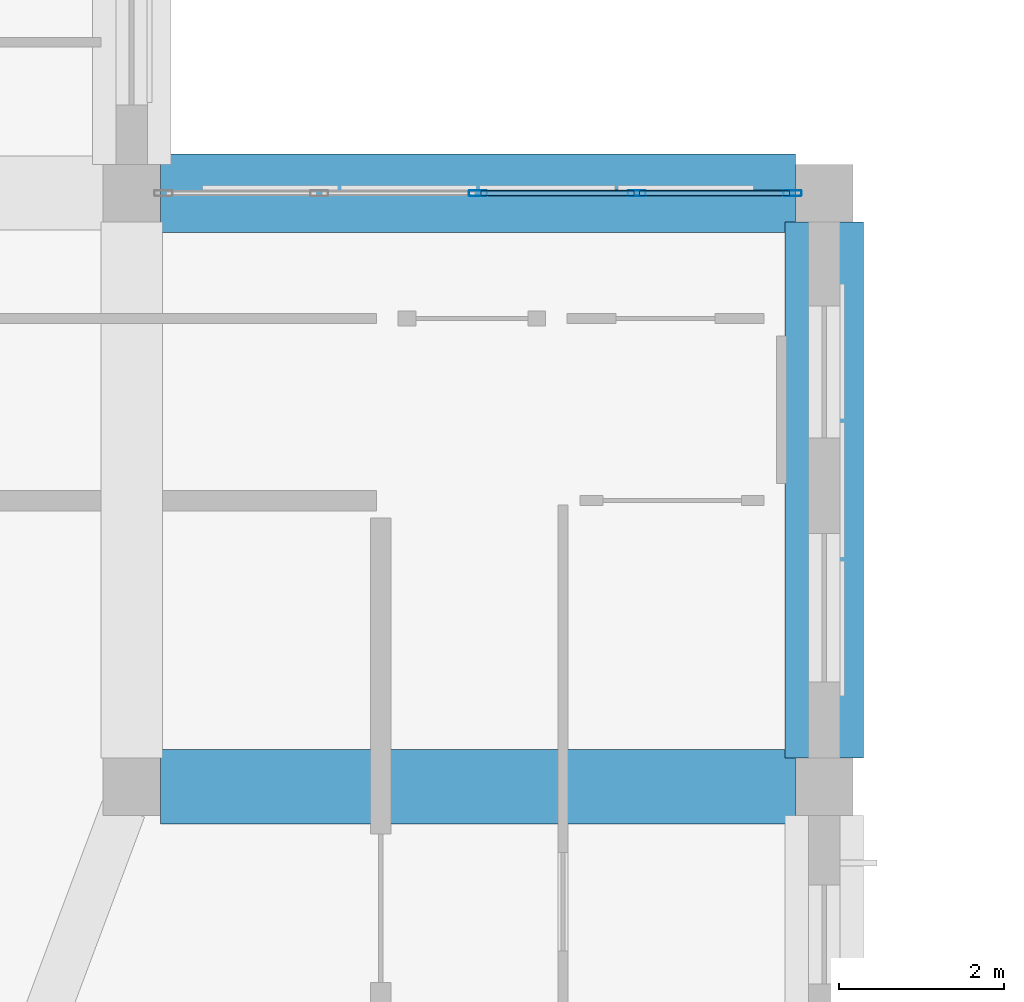
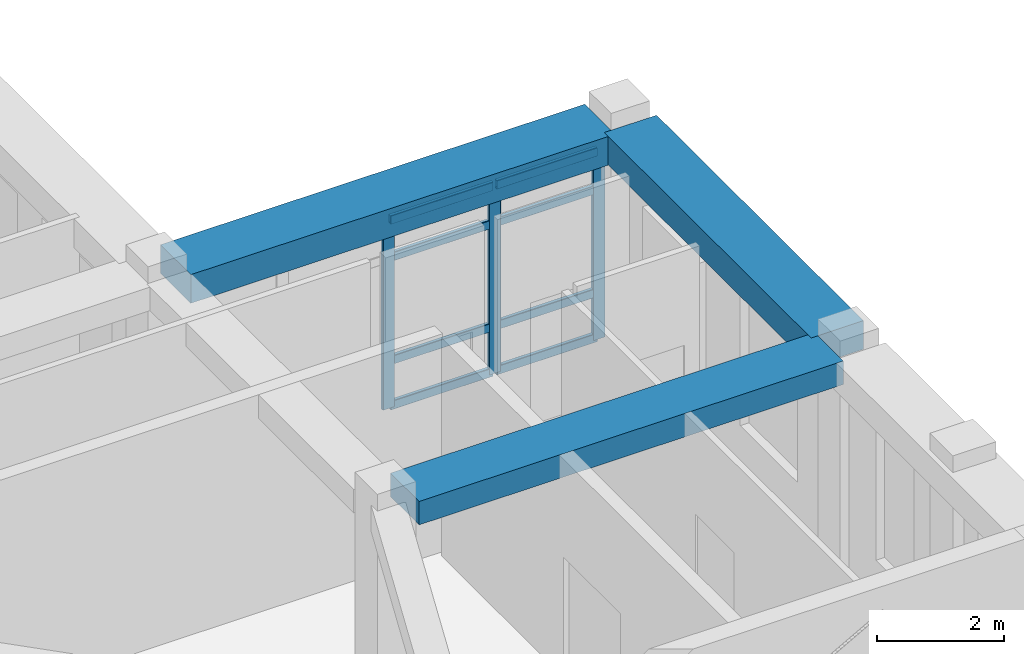
# One storey, part 28 of 79: 11 members, 3 beams, 1 element without a shape of its own.
"""IFC4 building model written with IfcOpenShell, lengths in metres."""

import ifcopenshell
import ifcopenshell.guid

model = None  # the IFC model being written
_history = None  # IfcOwnerHistory: only IFC2X3 demands one
_inside = {}  # id of a spatial element -> (the spatial element, [elements in it])
_under = {}  # id of a project, library or spatial element -> (it, [spatial elements below it])
_declared = {}  # id of a project -> (the project, [libraries it declares])
_typed = {}  # id of a type object -> (the type object, [elements of that type])
_made_of = {}  # id of a material, layer set ... -> (it, [elements and type objects made of it])


def new_model(schema):
    """Start an empty IFC model of exactly this schema.

    Asked for "IFC4X3", IfcOpenShell would pick the latest addendum, in which some entities
    have other attributes; the version numbers below select the first issue.
    IFC2X3 requires an IfcOwnerHistory on every rooted entity: one is made here for all.
    """
    global model, _history
    if schema == "IFC4X3":
        model = ifcopenshell.file(schema_version=(4, 3, 0, 0))
    else:
        model = ifcopenshell.file(schema=schema)
    _inside.clear()
    _under.clear()
    _declared.clear()
    _typed.clear()
    _made_of.clear()
    _history = None
    if model.schema == "IFC2X3":
        org = make("IfcOrganization", Name="unknown")
        user = make(
            "IfcPersonAndOrganization",
            ThePerson=make("IfcPerson", FamilyName="unknown"),
            TheOrganization=org,
        )
        app = make(
            "IfcApplication",
            ApplicationDeveloper=org,
            Version="unknown",
            ApplicationFullName="unknown",
            ApplicationIdentifier="unknown",
        )
        _history = make(
            "IfcOwnerHistory",
            OwningUser=user,
            OwningApplication=app,
            ChangeAction="ADDED",
            CreationDate=0,
        )
    return model


def make(cls, **values):
    """One entity of the class cls with the attributes given. An attribute that is None is left unset."""
    return model.create_entity(
        cls, **{name: value for name, value in values.items() if value is not None}
    )


def rooted(cls, **values):
    """An entity with a GlobalId (a new one), such as an element, a storey or a relation."""
    return make(cls, GlobalId=ifcopenshell.guid.new(), OwnerHistory=_history, **values)


def si_unit(unit_type, name, prefix=None):
    """IfcSIUnit, for example si_unit("LENGTHUNIT", "METRE", prefix="MILLI")."""
    return make("IfcSIUnit", UnitType=unit_type, Prefix=prefix, Name=name)


def derived_unit(unit_type, elements):
    """IfcDerivedUnit: a product of units, each with its exponent."""
    return make(
        "IfcDerivedUnit",
        Elements=[
            make("IfcDerivedUnitElement", Unit=unit, Exponent=power)
            for unit, power in elements
        ],
        UnitType=unit_type,
    )


def assignment(units):
    """IfcUnitAssignment: the units of a project."""
    return None if units is None else make("IfcUnitAssignment", Units=units)


def point(xyz):
    """IfcCartesianPoint."""
    return None if xyz is None else make("IfcCartesianPoint", Coordinates=xyz)


def direction(xyz):
    """IfcDirection."""
    return None if xyz is None else make("IfcDirection", DirectionRatios=xyz)


def frame(location, z_axis=None, x_axis=None):
    """IfcAxis2Placement3D, a coordinate frame: its origin and axes. An axis left out is left unset."""
    return make(
        "IfcAxis2Placement3D",
        Location=point(location),
        Axis=direction(z_axis),
        RefDirection=direction(x_axis),
    )


def frame_2d(location, x_axis=None):
    """IfcAxis2Placement2D, a coordinate frame in the plane: its origin and x axis."""
    return make(
        "IfcAxis2Placement2D", Location=point(location), RefDirection=direction(x_axis)
    )


def origin():
    """The frame at (0, 0, 0) with its axes left unset."""
    return frame((0.0, 0.0, 0.0))


def origin_2d():
    """The frame at (0, 0) in the plane with its x axis left unset."""
    return frame_2d((0.0, 0.0))


def place(relative_to, where):
    """IfcLocalPlacement: puts the frame where relative to a parent placement (None: the world)."""
    return make(
        "IfcLocalPlacement", PlacementRelTo=relative_to, RelativePlacement=where
    )


def context(
    kind, dimensions, precision=None, world=None, true_north=None, identifier=None
):
    """IfcGeometricRepresentationContext, for example the 3D "Model" context."""
    return make(
        "IfcGeometricRepresentationContext",
        ContextIdentifier=identifier,
        ContextType=kind,
        CoordinateSpaceDimension=dimensions,
        Precision=precision,
        WorldCoordinateSystem=world,
        TrueNorth=true_north,
    )


def subcontext(parent, identifier, kind, view, scale=None):
    """IfcGeometricRepresentationSubContext, for example "Body" below "Model"."""
    return make(
        "IfcGeometricRepresentationSubContext",
        ContextIdentifier=identifier,
        ContextType=kind,
        ParentContext=parent,
        TargetScale=scale,
        TargetView=view,
    )


def project(units=None, contexts=None):
    """IfcProject with its units and contexts."""
    return rooted(
        "IfcProject",
        Name="project",
        RepresentationContexts=contexts,
        UnitsInContext=assignment(units),
    )


def spatial(cls, under=None, at=None, **own):
    """A site, building, storey or space (cls), placed at a placement, below another one or the project."""
    s = rooted(cls, ObjectPlacement=at, **own)
    if under is not None:
        _under.setdefault(under.id(), (under, []))[1].append(s)
    return s


def profile(cls, at=None, kind="AREA", **sizes):
    """A parametric profile (cls). Its sizes go by their IFC names, for example OverallWidth=200.0."""
    return make(cls, ProfileType=kind, Position=at, **sizes)


def rectangle(**sizes):
    """IfcRectangleProfileDef."""
    return profile("IfcRectangleProfileDef", **sizes)


def hollow_rectangle(**sizes):
    """IfcRectangleHollowProfileDef."""
    return profile("IfcRectangleHollowProfileDef", **sizes)


def extrude(swept, where, along, depth):
    """IfcExtrudedAreaSolid: the profile swept, set in the frame where, extruded along a direction by depth."""
    return make(
        "IfcExtrudedAreaSolid",
        SweptArea=swept,
        Position=where,
        ExtrudedDirection=direction(along),
        Depth=depth,
    )


def shape(context_of_items, identifier, shape_type, items):
    """IfcShapeRepresentation: the items that make up one representation, for example the "Body"."""
    return make(
        "IfcShapeRepresentation",
        ContextOfItems=context_of_items,
        RepresentationIdentifier=identifier,
        RepresentationType=shape_type,
        Items=items,
    )


def material(Name=None, Category=None):
    """IfcMaterial."""
    return make("IfcMaterial", Name=Name, Category=Category)


def material_profile(
    of_material, cross_section, Name=None, Category=None, Priority=None
):
    """IfcMaterialProfile: a cross section and its material."""
    return make(
        "IfcMaterialProfile",
        Name=Name,
        Material=of_material,
        Profile=cross_section,
        Priority=Priority,
        Category=Category,
    )


def profile_set(profiles, Name=None, composite=None):
    """IfcMaterialProfileSet."""
    return make(
        "IfcMaterialProfileSet",
        Name=Name,
        MaterialProfiles=profiles,
        CompositeProfile=composite,
    )


def made_of(thing, what):
    """Note that an element or type object is made of a material, layer set ...; save() writes the relation."""
    if what is not None:
        _made_of.setdefault(what.id(), (what, []))[1].append(thing)
    return thing


def type_object(cls, material=None, **own):
    """A type object (cls), such as IfcWallType, which elements share."""
    return made_of(rooted(cls, **own), material)


def element(
    cls,
    number,
    at=None,
    inside=None,
    cuts=None,
    type_object=None,
    material=None,
    context=None,
    identifier="Body",
    shape_type=None,
    held_by="IfcProductDefinitionShape",
    body=None,
    shapes=None,
    **own,
):
    """One element of the class cls, such as IfcWall. Its Tag is "e" and its number.

    at: its placement. inside: the storey or other place that contains it. cuts: it is an
    opening in that element (IfcRelVoidsElement). A single representation is given by context,
    identifier, shape_type and body (its items); several are given by shapes. held_by: the class
    of the entity that holds the representations. save() writes the other relations.
    """
    e = rooted(cls, Tag="e%d" % number, ObjectPlacement=at, **own)
    if body is not None:
        shapes = [shape(context, identifier, shape_type, body)]
    if shapes is not None:
        e.Representation = make(held_by, Representations=shapes)
    if inside is not None:
        _inside.setdefault(inside.id(), (inside, []))[1].append(e)
    if cuts is not None:
        rooted(
            "IfcRelVoidsElement", RelatingBuildingElement=cuts, RelatedOpeningElement=e
        )
    if type_object is not None:
        _typed.setdefault(type_object.id(), (type_object, []))[1].append(e)
    return made_of(e, material)


def aggregate(whole, parts):
    """IfcRelAggregates: a whole, such as a stair, and the parts it consists of."""
    return rooted("IfcRelAggregates", RelatingObject=whole, RelatedObjects=parts)


def save(model, path):
    """Write the relations noted so far, then the file.

    IfcRelAggregates (storeys below a building ...), IfcRelContainedInSpatialStructure (elements
    in a storey), IfcRelDefinesByType, IfcRelAssociatesMaterial and IfcRelDeclares: one each for
    every whole, place, type object, material and project.
    """
    for whole, parts in _under.values():
        aggregate(whole, parts)
    for where, things in _inside.values():
        rooted(
            "IfcRelContainedInSpatialStructure",
            RelatedElements=things,
            RelatingStructure=where,
        )
    for kind, things in _typed.values():
        rooted("IfcRelDefinesByType", RelatedObjects=things, RelatingType=kind)
    for what, things in _made_of.values():
        rooted("IfcRelAssociatesMaterial", RelatedObjects=things, RelatingMaterial=what)
    for by, libraries in _declared.values():
        rooted("IfcRelDeclares", RelatingContext=by, RelatedDefinitions=libraries)
    model.write(path)


model = new_model("IFC4")

# Units and contexts
model_context = context("Model", 3, precision=1e-05, world=origin(), true_north=direction((0.0, 1.0)))
body_context = subcontext(model_context, "Body", "Model", "MODEL_VIEW")
ifc_project = project(units=[si_unit("LENGTHUNIT", "METRE"), si_unit("AREAUNIT", "SQUARE_METRE"), si_unit("VOLUMEUNIT", "CUBIC_METRE"), si_unit("PLANEANGLEUNIT", "RADIAN"), si_unit("MASSUNIT", "GRAM", prefix="KILO"), derived_unit("THERMALTRANSMITTANCEUNIT", [(si_unit("POWERUNIT", "WATT"), 1), (si_unit("LENGTHUNIT", "METRE"), -2), (si_unit("THERMODYNAMICTEMPERATUREUNIT", "KELVIN"), -1)])], contexts=[model_context])

# Site, building, storey
site_placement = place(None, origin())
site = spatial("IfcSite", under=ifc_project, at=site_placement, CompositionType="ELEMENT")
building_placement = place(site_placement, origin())
building = spatial("IfcBuilding", under=site, at=building_placement, Name="Veybourne Emporium", CompositionType="ELEMENT")
storey_placement = place(building_placement, frame((0.0, 0.0, 18.89990234375)))
storey = spatial("IfcBuildingStorey", under=building, at=storey_placement, Name="L04", CompositionType="ELEMENT", Elevation=18.89990234375)

# Curtain wall, members
ifc_material_1 = material(Name="Patinated Architectural Bronze", Category="bronze")
curtain_wall_type = type_object("IfcCurtainWallType", Name="CWSystem_CWS-08", PredefinedType="NOTDEFINED", material=ifc_material_1)
curtain_wall_placement = place(storey_placement, origin())
curtain_wall = element("IfcCurtainWall", 1, at=curtain_wall_placement, inside=storey, type_object=curtain_wall_type, Name="L04 bronze glazed curtain wall CWS-08 (054)", PredefinedType="NOTDEFINED")
ifc_material_profile_1 = material_profile(ifc_material_1, hollow_rectangle(XDim=0.070068359375, YDim=0.219970703125, WallThickness=0.0048828125, InnerFilletRadius=0.007568359375, OuterFilletRadius=0.012451171875, at=origin_2d()), Name="CWM 70x220x5")
ifc_profile_set_1 = profile_set([ifc_material_profile_1], Name="Patinated Architectural Bronze")
member_type_1 = type_object("IfcMemberType", Name="CWMullion_CW-M4", PredefinedType="MULLION", material=ifc_profile_set_1)
member_1_placement = place(storey_placement, frame((96.60009765625, 72.0, 0.0), z_axis=(0.0, 0.0, 1.0), x_axis=(0.0, 1.0, 0.0)))
member_1 = element("IfcMember", 2, at=member_1_placement, type_object=member_type_1, Name="CWS-08 mullion 3", PredefinedType="MULLION", context=body_context, shape_type="SweptSolid", body=[
    extrude(hollow_rectangle(XDim=0.070068359375, YDim=0.219970703125, WallThickness=0.0048828125, InnerFilletRadius=0.007568359375, OuterFilletRadius=0.012451171875, at=origin_2d()), origin(), (0.0, 0.0, 1.0), 3.630126953125),
])
member_2_placement = place(storey_placement, frame((98.52490234375, 72.0, 0.0), z_axis=(0.0, 0.0, 1.0), x_axis=(0.0, 1.0, 0.0)))
member_2 = element("IfcMember", 3, at=member_2_placement, type_object=member_type_1, Name="CWS-08 mullion 4", PredefinedType="MULLION", context=body_context, shape_type="SweptSolid", body=[
    extrude(hollow_rectangle(XDim=0.070068359375, YDim=0.219970703125, WallThickness=0.0048828125, InnerFilletRadius=0.007568359375, OuterFilletRadius=0.012451171875, at=origin_2d()), origin(), (0.0, 0.0, 1.0), 3.630126953125),
])
member_3_placement = place(storey_placement, frame((100.4150390625, 72.0, 0.0), z_axis=(0.0, 0.0, 1.0), x_axis=(0.0, 1.0, 0.0)))
member_3 = element("IfcMember", 4, at=member_3_placement, type_object=member_type_1, Name="CWS-08 mullion 5", PredefinedType="MULLION", context=body_context, shape_type="SweptSolid", body=[
    extrude(hollow_rectangle(XDim=0.070068359375, YDim=0.219970703125, WallThickness=0.0048828125, InnerFilletRadius=0.007568359375, OuterFilletRadius=0.012451171875, at=origin_2d()), origin(), (0.0, 0.0, 1.0), 3.630126953125),
])
ifc_material_profile_2 = material_profile(ifc_material_1, hollow_rectangle(XDim=0.070068359375, YDim=0.169921875, WallThickness=0.0048828125, InnerFilletRadius=0.007568359375, OuterFilletRadius=0.012451171875, at=origin_2d()), Name="CWT 70x170x5")
ifc_profile_set_2 = profile_set([ifc_material_profile_2], Name="Patinated Architectural Bronze")
member_type_2 = type_object("IfcMemberType", Name="CWTransom_CW-T4", PredefinedType="NOTDEFINED", material=ifc_profile_set_2)
member_4_placement = place(storey_placement, frame((96.635009765625, 72.0, 0.03515625), z_axis=(1.0, 0.0, 0.0), x_axis=(0.0, 1.0, 0.0)))
member_4 = element("IfcMember", 5, at=member_4_placement, type_object=member_type_2, Name="CWS-08 transom 3.1", ObjectType="TRANSOM", PredefinedType="USERDEFINED", context=body_context, shape_type="SweptSolid", body=[
    extrude(hollow_rectangle(XDim=0.070068359375, YDim=0.169921875, WallThickness=0.0048828125, InnerFilletRadius=0.007568359375, OuterFilletRadius=0.012451171875, at=origin_2d()), origin(), (0.0, 0.0, 1.0), 1.85498046875),
])
member_5_placement = place(storey_placement, frame((96.635009765625, 72.0, 0.900146484375), z_axis=(1.0, 0.0, 0.0), x_axis=(0.0, 1.0, 0.0)))
member_5 = element("IfcMember", 6, at=member_5_placement, type_object=member_type_2, Name="CWS-08 transom 3.2", ObjectType="TRANSOM", PredefinedType="USERDEFINED", context=body_context, shape_type="SweptSolid", body=[
    extrude(hollow_rectangle(XDim=0.070068359375, YDim=0.169921875, WallThickness=0.0048828125, InnerFilletRadius=0.007568359375, OuterFilletRadius=0.012451171875, at=origin_2d()), origin(), (0.0, 0.0, 1.0), 1.85498046875),
])
member_6_placement = place(storey_placement, frame((96.635009765625, 72.0, 2.880126953125), z_axis=(1.0, 0.0, 0.0), x_axis=(0.0, 1.0, 0.0)))
member_6 = element("IfcMember", 7, at=member_6_placement, type_object=member_type_2, Name="CWS-08 transom 3.3", ObjectType="TRANSOM", PredefinedType="USERDEFINED", context=body_context, shape_type="SweptSolid", body=[
    extrude(hollow_rectangle(XDim=0.070068359375, YDim=0.169921875, WallThickness=0.0048828125, InnerFilletRadius=0.007568359375, OuterFilletRadius=0.012451171875, at=origin_2d()), origin(), (0.0, 0.0, 1.0), 1.85498046875),
])
member_7_placement = place(storey_placement, frame((96.635009765625, 72.0, 3.59521484375), z_axis=(1.0, 0.0, 0.0), x_axis=(0.0, 1.0, 0.0)))
member_7 = element("IfcMember", 8, at=member_7_placement, type_object=member_type_2, Name="CWS-08 transom 3.4", ObjectType="TRANSOM", PredefinedType="USERDEFINED", context=body_context, shape_type="SweptSolid", body=[
    extrude(hollow_rectangle(XDim=0.070068359375, YDim=0.169921875, WallThickness=0.0048828125, InnerFilletRadius=0.007568359375, OuterFilletRadius=0.012451171875, at=origin_2d()), origin(), (0.0, 0.0, 1.0), 1.85498046875),
])
member_8_placement = place(storey_placement, frame((98.56005859375, 72.0, 0.03515625), z_axis=(1.0, 0.0, 0.0), x_axis=(0.0, 1.0, 0.0)))
member_8 = element("IfcMember", 9, at=member_8_placement, type_object=member_type_2, Name="CWS-08 transom 4.1", ObjectType="TRANSOM", PredefinedType="USERDEFINED", context=body_context, shape_type="SweptSolid", body=[
    extrude(hollow_rectangle(XDim=0.070068359375, YDim=0.169921875, WallThickness=0.0048828125, InnerFilletRadius=0.007568359375, OuterFilletRadius=0.012451171875, at=origin_2d()), origin(), (0.0, 0.0, 1.0), 1.81982421875),
])
member_9_placement = place(storey_placement, frame((98.56005859375, 72.0, 0.900146484375), z_axis=(1.0, 0.0, 0.0), x_axis=(0.0, 1.0, 0.0)))
member_9 = element("IfcMember", 10, at=member_9_placement, type_object=member_type_2, Name="CWS-08 transom 4.2", ObjectType="TRANSOM", PredefinedType="USERDEFINED", context=body_context, shape_type="SweptSolid", body=[
    extrude(hollow_rectangle(XDim=0.070068359375, YDim=0.169921875, WallThickness=0.0048828125, InnerFilletRadius=0.007568359375, OuterFilletRadius=0.012451171875, at=origin_2d()), origin(), (0.0, 0.0, 1.0), 1.81982421875),
])
member_10_placement = place(storey_placement, frame((98.56005859375, 72.0, 2.880126953125), z_axis=(1.0, 0.0, 0.0), x_axis=(0.0, 1.0, 0.0)))
member_10 = element("IfcMember", 11, at=member_10_placement, type_object=member_type_2, Name="CWS-08 transom 4.3", ObjectType="TRANSOM", PredefinedType="USERDEFINED", context=body_context, shape_type="SweptSolid", body=[
    extrude(hollow_rectangle(XDim=0.070068359375, YDim=0.169921875, WallThickness=0.0048828125, InnerFilletRadius=0.007568359375, OuterFilletRadius=0.012451171875, at=origin_2d()), origin(), (0.0, 0.0, 1.0), 1.81982421875),
])
member_11_placement = place(storey_placement, frame((98.56005859375, 72.0, 3.59521484375), z_axis=(1.0, 0.0, 0.0), x_axis=(0.0, 1.0, 0.0)))
member_11 = element("IfcMember", 12, at=member_11_placement, type_object=member_type_2, Name="CWS-08 transom 4.4", ObjectType="TRANSOM", PredefinedType="USERDEFINED", context=body_context, shape_type="SweptSolid", body=[
    extrude(hollow_rectangle(XDim=0.070068359375, YDim=0.169921875, WallThickness=0.0048828125, InnerFilletRadius=0.007568359375, OuterFilletRadius=0.012451171875, at=origin_2d()), origin(), (0.0, 0.0, 1.0), 1.81982421875),
])
aggregate(curtain_wall, [member_1, member_2, member_3, member_4, member_5, member_6, member_7, member_8, member_9, member_10, member_11])

# Beams
ifc_material_2 = material(Name="Concrete C32/40", Category="concrete")
ifc_material_profile_3 = material_profile(ifc_material_2, rectangle(XDim=0.89990234375, YDim=0.449951171875, at=origin_2d()), Name="RC 900x450")
ifc_profile_set_3 = profile_set([ifc_material_profile_3], Name="Concrete C32/40")
beam_type_1 = type_object("IfcBeamType", Name="RCBeam_BB-03", PredefinedType="BEAM", material=ifc_profile_set_3)
beam_1_placement = place(storey_placement, frame((92.75, 64.800048828125, 3.955078125), z_axis=(1.0, 0.0, 0.0), x_axis=(0.0, 1.0, 0.0)))
element("IfcBeam", 13, at=beam_1_placement, inside=storey, type_object=beam_type_1, Name="L04 X-grid beam BB-03 (11,9)", PredefinedType="BEAM", context=body_context, shape_type="SweptSolid", body=[
    extrude(rectangle(XDim=0.89990234375, YDim=0.449951171875, at=origin_2d()), origin(), (0.0, 0.0, 1.0), 7.699951171875),
])
ifc_material_profile_4 = material_profile(ifc_material_2, rectangle(XDim=0.949951171875, YDim=0.550048828125, at=origin_2d()), Name="RC 950x550")
ifc_profile_set_4 = profile_set([ifc_material_profile_4], Name="Concrete C32/40")
beam_type_2 = type_object("IfcBeamType", Name="RCBeam_EB-01", PredefinedType="SPANDREL", material=ifc_profile_set_4)
beam_2_placement = place(storey_placement, frame((92.75, 72.0, 3.905029296875), z_axis=(1.0, 0.0, 0.0), x_axis=(0.0, 1.0, 0.0)))
element("IfcBeam", 14, at=beam_2_placement, inside=storey, type_object=beam_type_2, Name="L04 X-grid beam EB-01 (11,10)", PredefinedType="SPANDREL", context=body_context, shape_type="SweptSolid", body=[
    extrude(rectangle(XDim=0.949951171875, YDim=0.550048828125, at=origin_2d()), origin(), (0.0, 0.0, 1.0), 7.699951171875),
])
beam_3_placement = place(storey_placement, frame((100.800048828125, 65.14990234375, 3.905029296875), z_axis=(0.0, 1.0, 0.0), x_axis=(-1.0, 0.0, 0.0)))
element("IfcBeam", 15, at=beam_3_placement, inside=storey, type_object=beam_type_2, Name="L04 Y-grid beam EB-01 (12,9)", PredefinedType="SPANDREL", context=body_context, shape_type="SweptSolid", body=[
    extrude(rectangle(XDim=0.949951171875, YDim=0.550048828125, at=origin_2d()), origin(), (0.0, 0.0, 1.0), 6.5),
])

save(model, "model.ifc")
